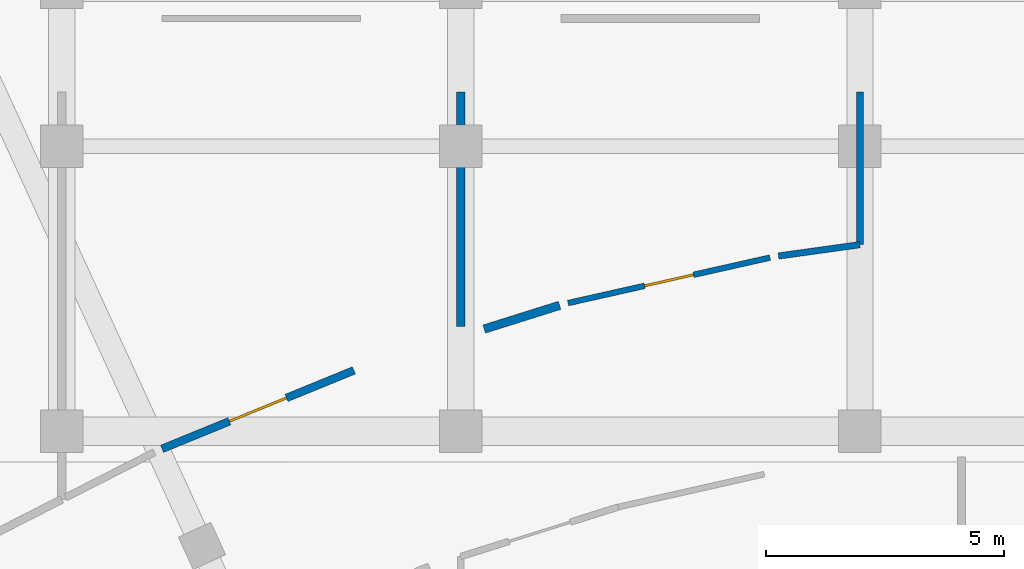
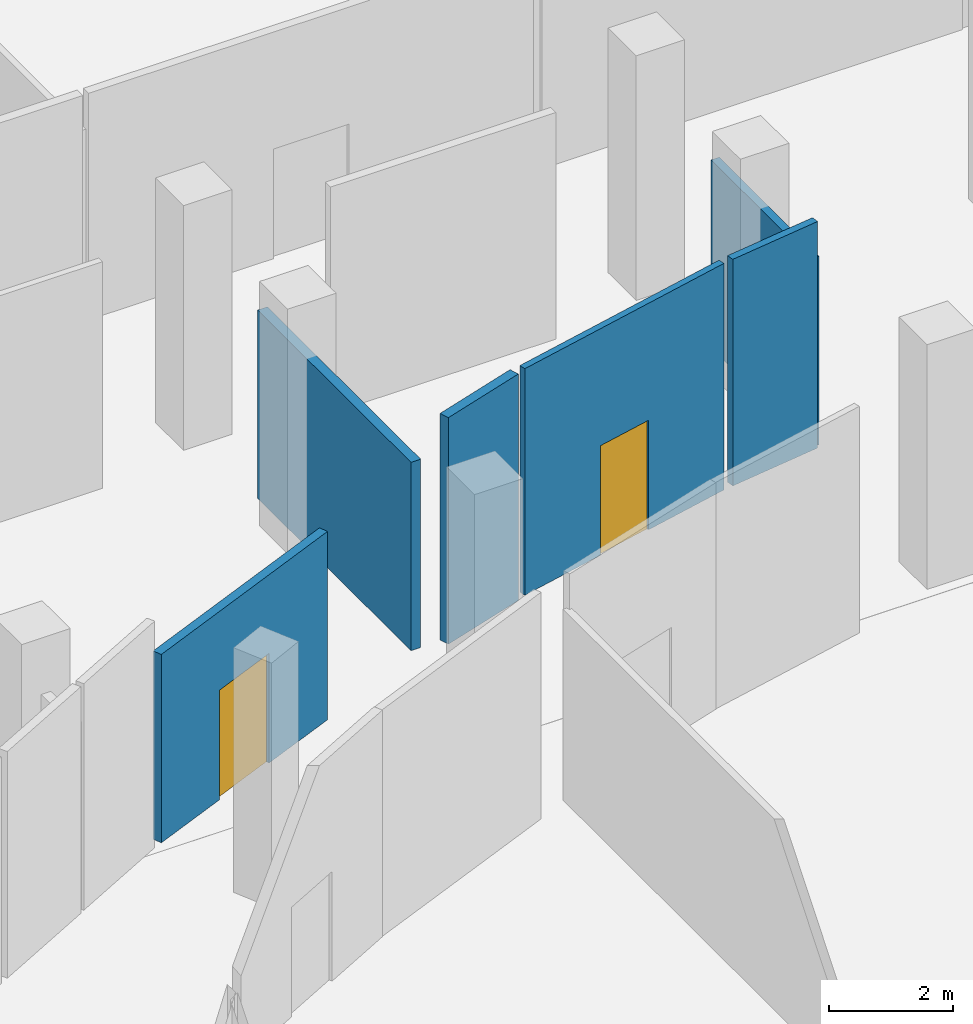
# One storey, part 143 of 168: 6 walls, 2 doors, 2 openings.
"""IFC4 building model written with IfcOpenShell, lengths in metres."""

from ifc_helpers import new_model, si_unit, direction, frame, frame_2d, origin, place, context, subcontext, project, spatial, rectangle, extrude, material, layer, layer_set, type_object, element, fill, save


model = new_model("IFC4")

# Units and contexts
model_context = context("Model", 3, precision=1e-05, world=origin(), true_north=direction((0.0, 1.0)))
body_context = subcontext(model_context, "Body", "Model", "MODEL_VIEW")
ifc_project = project(units=[si_unit("LENGTHUNIT", "METRE"), si_unit("AREAUNIT", "SQUARE_METRE"), si_unit("VOLUMEUNIT", "CUBIC_METRE"), si_unit("PLANEANGLEUNIT", "RADIAN"), si_unit("MASSUNIT", "GRAM", prefix="KILO")], contexts=[model_context])

# Site, building, storey
site_placement = place(None, origin())
site = spatial("IfcSite", under=ifc_project, at=site_placement, CompositionType="ELEMENT")
building_placement = place(site_placement, origin())
building = spatial("IfcBuilding", under=site, at=building_placement, Name="Selatvlak General Hospital", CompositionType="ELEMENT")
storey_placement = place(building_placement, frame((0.0, 0.0, 5.39990234375)))
storey = spatial("IfcBuildingStorey", under=building, at=storey_placement, Name="L01", CompositionType="ELEMENT", Elevation=5.39990234375)

# Walls
ifc_material_1 = material(Name="Acoustic gypsum stud partition")
ifc_layer_1 = layer(ifc_material_1, 0.179931640625, Name="Acoustic gypsum stud partition")
ifc_layer_set_1 = layer_set([ifc_layer_1], Name="Acoustic gypsum stud partition")
wall_type_1 = type_object("IfcWallType", Name="WALL-PT-01", PredefinedType="PARTITIONING", material=ifc_layer_set_1)
wall_1_placement = place(storey_placement, frame((123.60009765625, 73.7900390625, 0.0), z_axis=(0.0, 0.0, 1.0), x_axis=(0.0, -1.0, 0.0)))
element("IfcWall", 1, at=wall_1_placement, inside=storey, type_object=wall_type_1, Name="L01 clinical partition PT-L01-0860", PredefinedType="PARTITIONING", context=body_context, shape_type="SweptSolid", body=[
    extrude(rectangle(XDim=4.929931640625, YDim=0.179931640625, at=frame_2d((2.46484375, 0.0))), origin(), (0.0, 0.0, 1.0), 3.695068359375),
])
wall_2_placement = place(storey_placement, frame((125.679931640625, 69.301025390625, 0.0), z_axis=(0.0, 0.0, 1.0), x_axis=(-0.953945729363, -0.299979241664, 0.0)))
element("IfcWall", 2, at=wall_2_placement, inside=storey, type_object=wall_type_1, Name="L01 clinical partition PT-L01-0870", PredefinedType="PARTITIONING", context=body_context, shape_type="SweptSolid", body=[
    extrude(rectangle(XDim=1.66357421875, YDim=0.179931640625, at=frame_2d((0.831787109375, 0.0))), origin(), (0.0, 0.0, 1.0), 4.445068359375),
])

# Wall, opening, door
ifc_layer_2 = layer(ifc_material_1, 0.1650390625, Name="Acoustic gypsum stud partition")
ifc_layer_set_2 = layer_set([ifc_layer_2], Name="Acoustic gypsum stud partition")
wall_type_2 = type_object("IfcWallType", Name="WALL-PT-02", PredefinedType="PARTITIONING", material=ifc_layer_set_2)
wall_3_placement = place(storey_placement, frame((121.35009765625, 67.931884765625, 0.0), z_axis=(0.0, 0.0, 1.0), x_axis=(-0.925632511798, -0.378423642368, 0.0)))
wall_3 = element("IfcWall", 3, at=wall_3_placement, inside=storey, type_object=wall_type_2, Name="L01 clinical partition PT-L01-0861", PredefinedType="PARTITIONING", context=body_context, shape_type="SweptSolid", body=[
    extrude(rectangle(XDim=4.362548828125, YDim=0.1650390625, at=frame_2d((2.18115234375, 0.0))), origin(), (0.0, 0.0, 1.0), 3.695068359375),
])
opening_1_placement = place(wall_3_placement, frame((1.531005859375, 0.0, 0.0)))
opening_1 = element("IfcOpeningElement", 4, at=opening_1_placement, cuts=wall_3, Name="Opening D-09", PredefinedType="OPENING", context=body_context, shape_type="SweptSolid", body=[
    extrude(rectangle(XDim=1.300048828125, YDim=2.14990234375, at=frame_2d((0.64990234375, 1.074951171875))), frame((0.0, 0.092529296875, 0.0), z_axis=(0.0, -1.0, 0.0), x_axis=(1.0, 0.0, 0.0)), (0.0, 0.0, 1.0), 0.18505859375),
])
ifc_material_2 = material(Name="Outpatient procedure door")
door_type_1 = type_object("IfcDoorType", Name="DOOR-D-09", OperationType="NOTDEFINED", PredefinedType="DOOR", material=ifc_material_2)
door_1_placement = place(opening_1_placement, origin())
door_1 = element("IfcDoor", 5, at=door_1_placement, inside=storey, type_object=door_type_1, Name="L01 Paediatric Intensive Care Unit 30 door", OperationType="SINGLE_SWING_RIGHT", OverallHeight=2.14990234375, OverallWidth=1.300048828125, PredefinedType="DOOR", context=body_context, shape_type="SweptSolid", body=[
    extrude(rectangle(XDim=1.300048828125, YDim=2.14990234375, at=frame_2d((0.64990234375, 1.074951171875))), frame((0.0, 0.02490234375, 0.0), z_axis=(0.0, -1.0, 0.0), x_axis=(1.0, 0.0, 0.0)), (0.0, 0.0, 1.0), 0.050048828125),
])
fill(opening_1, door_1)

# Walls
ifc_layer_3 = layer(ifc_material_1, 0.14990234375, Name="Acoustic gypsum stud partition")
ifc_layer_set_3 = layer_set([ifc_layer_3], Name="Acoustic gypsum stud partition")
wall_type_3 = type_object("IfcWallType", Name="WALL-PT-03", PredefinedType="PARTITIONING", material=ifc_layer_set_3)
wall_4_placement = place(storey_placement, frame((132.0, 73.7900390625, 0.0), z_axis=(0.0, 0.0, 1.0), x_axis=(0.0, -1.0, 0.0)))
element("IfcWall", 6, at=wall_4_placement, inside=storey, type_object=wall_type_3, Name="L01 clinical partition PT-L01-0867", PredefinedType="PARTITIONING", context=body_context, shape_type="SweptSolid", body=[
    extrude(rectangle(XDim=3.212158203125, YDim=0.14990234375, at=frame_2d((1.60595703125, 0.0))), origin(), (0.0, 0.0, 1.0), 3.695068359375),
])
ifc_material_3 = material(Name="Moisture-resistant clinical partition")
ifc_layer_4 = layer(ifc_material_3, 0.135009765625, Name="Moisture-resistant clinical partition")
ifc_layer_set_4 = layer_set([ifc_layer_4], Name="Moisture-resistant clinical partition")
wall_type_4 = type_object("IfcWallType", Name="WALL-PT-04", PredefinedType="PARTITIONING", material=ifc_layer_set_4)
wall_5_placement = place(storey_placement, frame((132.0, 70.577880859375, 0.0), z_axis=(0.0, 0.0, 1.0), x_axis=(-0.990423758249, -0.13806078044, 0.0)))
element("IfcWall", 7, at=wall_5_placement, inside=storey, type_object=wall_type_4, Name="L01 clinical partition PT-L01-0868", PredefinedType="PARTITIONING", context=body_context, shape_type="SweptSolid", body=[
    extrude(rectangle(XDim=1.7294921875, YDim=0.135009765625, at=frame_2d((0.86474609375, 0.0))), origin(), (0.0, 0.0, 1.0), 4.445068359375),
])

# Wall, opening, door
ifc_layer_5 = layer(ifc_material_3, 0.1201171875, Name="Moisture-resistant clinical partition")
ifc_layer_set_5 = layer_set([ifc_layer_5], Name="Moisture-resistant clinical partition")
wall_type_5 = type_object("IfcWallType", Name="WALL-PT-05", PredefinedType="PARTITIONING", material=ifc_layer_set_5)
wall_6_placement = place(storey_placement, frame((130.10791015625, 70.305908203125, 0.0), z_axis=(0.0, 0.0, 1.0), x_axis=(-0.975583344842, -0.219629545521, 0.0)))
wall_6 = element("IfcWall", 8, at=wall_6_placement, inside=storey, type_object=wall_type_5, Name="L01 clinical partition PT-L01-0869", PredefinedType="PARTITIONING", context=body_context, shape_type="SweptSolid", body=[
    extrude(rectangle(XDim=4.3564453125, YDim=0.1201171875, at=frame_2d((2.17822265625, 0.0))), origin(), (0.0, 0.0, 1.0), 4.445068359375),
])
opening_2_placement = place(wall_6_placement, frame((1.653076171875, 0.0, 0.0)))
opening_2 = element("IfcOpeningElement", 9, at=opening_2_placement, cuts=wall_6, Name="Opening D-04", PredefinedType="OPENING", context=body_context, shape_type="SweptSolid", body=[
    extrude(rectangle(XDim=1.050048828125, YDim=2.14990234375, at=frame_2d((0.52490234375, 1.074951171875))), frame((0.0, 0.070068359375, 0.0), z_axis=(0.0, -1.0, 0.0), x_axis=(1.0, 0.0, 0.0)), (0.0, 0.0, 1.0), 0.14013671875),
])
ifc_material_4 = material(Name="Consultation room door")
door_type_2 = type_object("IfcDoorType", Name="DOOR-D-04", OperationType="NOTDEFINED", PredefinedType="DOOR", material=ifc_material_4)
door_2_placement = place(opening_2_placement, origin())
door_2 = element("IfcDoor", 10, at=door_2_placement, inside=storey, type_object=door_type_2, Name="L01 Paediatric Intensive Care Unit 32 door", OperationType="SINGLE_SWING_RIGHT", OverallHeight=2.14990234375, OverallWidth=1.050048828125, PredefinedType="DOOR", context=body_context, shape_type="SweptSolid", body=[
    extrude(rectangle(XDim=1.050048828125, YDim=2.14990234375, at=frame_2d((0.52490234375, 1.074951171875))), frame((0.0, 0.02490234375, 0.0), z_axis=(0.0, -1.0, 0.0), x_axis=(1.0, 0.0, 0.0)), (0.0, 0.0, 1.0), 0.050048828125),
])
fill(opening_2, door_2)

save(model, "model.ifc")
